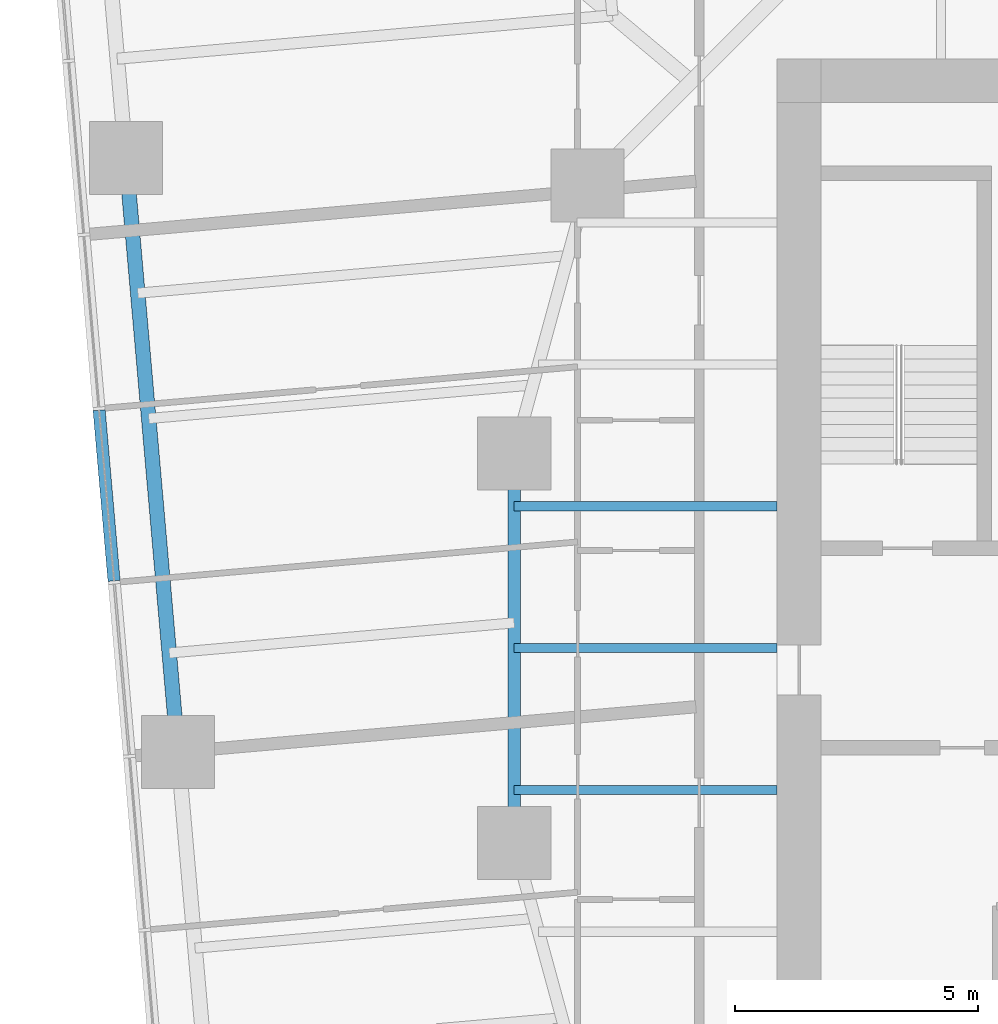
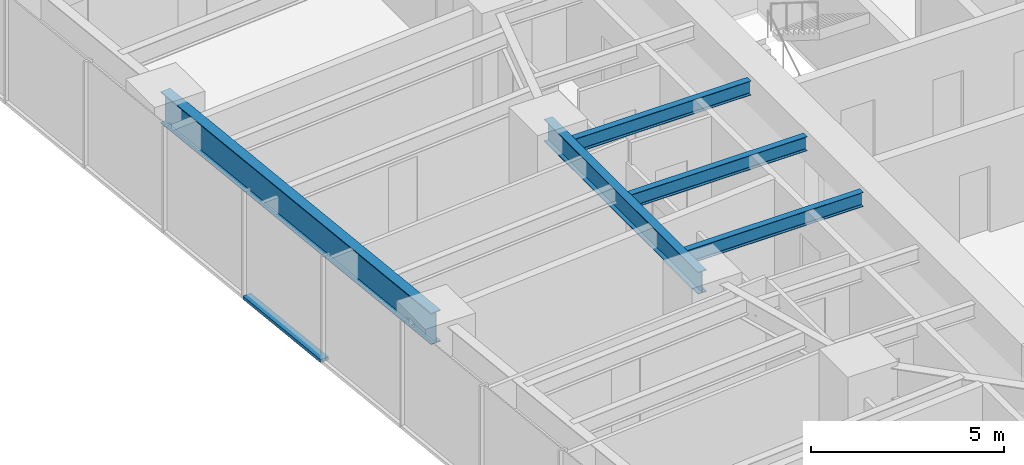
# One storey, part 3 of 14: 5 beams, 1 member, 1 element without a shape of its own.
"""IFC4 building model written with IfcOpenShell, lengths in metres."""

from ifc_helpers import new_model, si_unit, direction, frame, origin, origin_2d, place, context, subcontext, project, spatial, rectangle, i_section, extrude, material, material_profile, profile_set, type_object, element, aggregate, save


model = new_model("IFC4")

# Units and contexts
model_context = context("Model", 3, precision=1e-05, world=origin(), true_north=direction((0.0, 1.0)))
body_context = subcontext(model_context, "Body", "Model", "MODEL_VIEW")
ifc_project = project(units=[si_unit("LENGTHUNIT", "METRE"), si_unit("AREAUNIT", "SQUARE_METRE"), si_unit("VOLUMEUNIT", "CUBIC_METRE"), si_unit("PLANEANGLEUNIT", "RADIAN"), si_unit("MASSUNIT", "GRAM", prefix="KILO")], contexts=[model_context])

# Site, building, storey
site_placement = place(None, origin())
site = spatial("IfcSite", under=ifc_project, at=site_placement, CompositionType="ELEMENT")
building_placement = place(site_placement, origin())
building = spatial("IfcBuilding", under=site, at=building_placement, Name="Torsade Residences", CompositionType="ELEMENT")
storey_placement = place(building_placement, frame((0.0, 0.0, 64.199951171875)))
storey = spatial("IfcBuildingStorey", under=building, at=storey_placement, Name="L17", CompositionType="ELEMENT", Elevation=64.199951171875)

# Curtain wall, member
ifc_material_1 = material(Name="Aluminium and glass", Category="aluminium")
curtain_wall_type = type_object("IfcCurtainWallType", Name="FRITTED GLASS CURTAIN WALL LOW ZONE", PredefinedType="NOTDEFINED", material=ifc_material_1)
curtain_wall_placement = place(storey_placement, origin())
curtain_wall = element("IfcCurtainWall", 1, at=curtain_wall_placement, inside=storey, type_object=curtain_wall_type, Name="Curtain wall L17 face 10", PredefinedType="NOTDEFINED")
ifc_material_2 = material(Name="Aluminium transom", Category="aluminium")
ifc_material_profile_1 = material_profile(ifc_material_2, rectangle(XDim=0.25, YDim=0.10009765625, at=origin_2d()), Name="CURTAIN WALL TRANSOM 250x100")
ifc_profile_set_1 = profile_set([ifc_material_profile_1], Name="Aluminium transom")
member_type = type_object("IfcMemberType", Name="CURTAIN WALL TRANSOM 250x100", PredefinedType="USERDEFINED", material=ifc_profile_set_1)
member_placement = place(storey_placement, frame((13.975341796875, 34.884521484375, 0.050048828125), z_axis=(0.087156620531, -0.996194621295, 0.0), x_axis=(0.996194621295, 0.087156620531, 0.0)))
member = element("IfcMember", 2, at=member_placement, type_object=member_type, Name="Transom 5.1", ObjectType="TRANSOM", PredefinedType="USERDEFINED", context=body_context, shape_type="SweptSolid", body=[
    extrude(rectangle(XDim=0.25, YDim=0.10009765625, at=origin_2d()), origin(), (0.0, 0.0, 1.0), 3.518310546875),
])
aggregate(curtain_wall, [member])

# Beams
ifc_material_3 = material(Name="Steel grade 300", Category="steel")
ifc_material_profile_2 = material_profile(ifc_material_3, i_section(OverallWidth=0.300048828125, OverallDepth=1.0, WebThickness=0.01611328125, FlangeThickness=0.028076171875, at=origin_2d()), Name="1000WB215")
ifc_profile_set_2 = profile_set([ifc_material_profile_2], Name="Steel grade 300")
beam_type_1 = type_object("IfcBeamType", Name="EDGE BEAM 1000WB215", PredefinedType="SPANDREL", material=ifc_profile_set_2)
beam_1_placement = place(storey_placement, frame((14.525634765625, 40.068115234375, 2.75), z_axis=(0.08715335259, -0.996194907201, 0.0), x_axis=(0.996194907201, 0.08715335259, 0.0)))
element("IfcBeam", 3, at=beam_1_placement, inside=storey, type_object=beam_type_1, Name="Edge beam 14 L18", PredefinedType="SPANDREL", context=body_context, shape_type="SweptSolid", body=[
    extrude(i_section(OverallWidth=0.300048828125, OverallDepth=1.0, WebThickness=0.01611328125, FlangeThickness=0.028076171875, at=origin_2d()), origin(), (0.0, 0.0, 1.0), 12.25),
])
ifc_material_4 = material(Name="Steel grade 300", Category="steel")
ifc_material_profile_3 = material_profile(ifc_material_4, i_section(OverallWidth=0.18994140625, OverallDepth=0.4541015625, WebThickness=0.008544921875, FlangeThickness=0.0126953125, FilletRadius=0.011474609375, at=origin_2d()), Name="460UB67.1")
ifc_profile_set_3 = profile_set([ifc_material_profile_3], Name="Steel grade 300")
beam_type_2 = type_object("IfcBeamType", Name="INNER FLOOR BEAM 460UB67.1", PredefinedType="JOIST", material=ifc_profile_set_3)
for number, where, z_axis, x_axis, name in (
    (4, (27.89990234375, 32.91259765625, 3.02294921875), (-1.0, 0.0, 0.0), (0.0, -1.0, 0.0), "Inner floor beam IW03 L18"),
    (5, (27.89990234375, 30.0, 3.02294921875), (-1.0, 0.0, 0.0), (0.0, -1.0, 0.0), "Inner floor beam IW04 L18"),
    (6, (27.89990234375, 27.08740234375, 3.02294921875), (-1.0, 0.0, 0.0), (0.0, -1.0, 0.0), "Inner floor beam IW05 L18"),
):
    element("IfcBeam", number, at=place(storey_placement, frame(where, z_axis=z_axis, x_axis=x_axis)), inside=storey, type_object=beam_type_2, Name=name, PredefinedType="JOIST", context=body_context, shape_type="SweptSolid", body=[
        extrude(i_section(OverallWidth=0.18994140625, OverallDepth=0.4541015625, WebThickness=0.008544921875, FlangeThickness=0.0126953125, FilletRadius=0.011474609375, at=origin_2d()), origin(), (0.0, 0.0, 1.0), 5.39990234375),
    ])
ifc_material_5 = material(Name="Steel grade 300", Category="steel")
ifc_material_profile_4 = material_profile(ifc_material_5, i_section(OverallWidth=0.25, OverallDepth=0.699951171875, WebThickness=0.010009765625, FlangeThickness=0.02001953125, at=origin_2d()), Name="700WB130")
ifc_profile_set_4 = profile_set([ifc_material_profile_4], Name="Steel grade 300")
beam_type_3 = type_object("IfcBeamType", Name="RING GIRDER 700WB130", PredefinedType="BEAM", material=ifc_profile_set_4)
beam_2_placement = place(storey_placement, frame((22.5, 34.0, 2.900146484375), z_axis=(0.0, -1.0, 0.0), x_axis=(1.0, 0.0, 0.0)))
element("IfcBeam", 7, at=beam_2_placement, inside=storey, type_object=beam_type_3, Name="Ring girder IR09 L18", PredefinedType="BEAM", context=body_context, shape_type="SweptSolid", body=[
    extrude(i_section(OverallWidth=0.25, OverallDepth=0.699951171875, WebThickness=0.010009765625, FlangeThickness=0.02001953125, at=origin_2d()), origin(), (0.0, 0.0, 1.0), 8.0),
])

save(model, "model.ifc")
